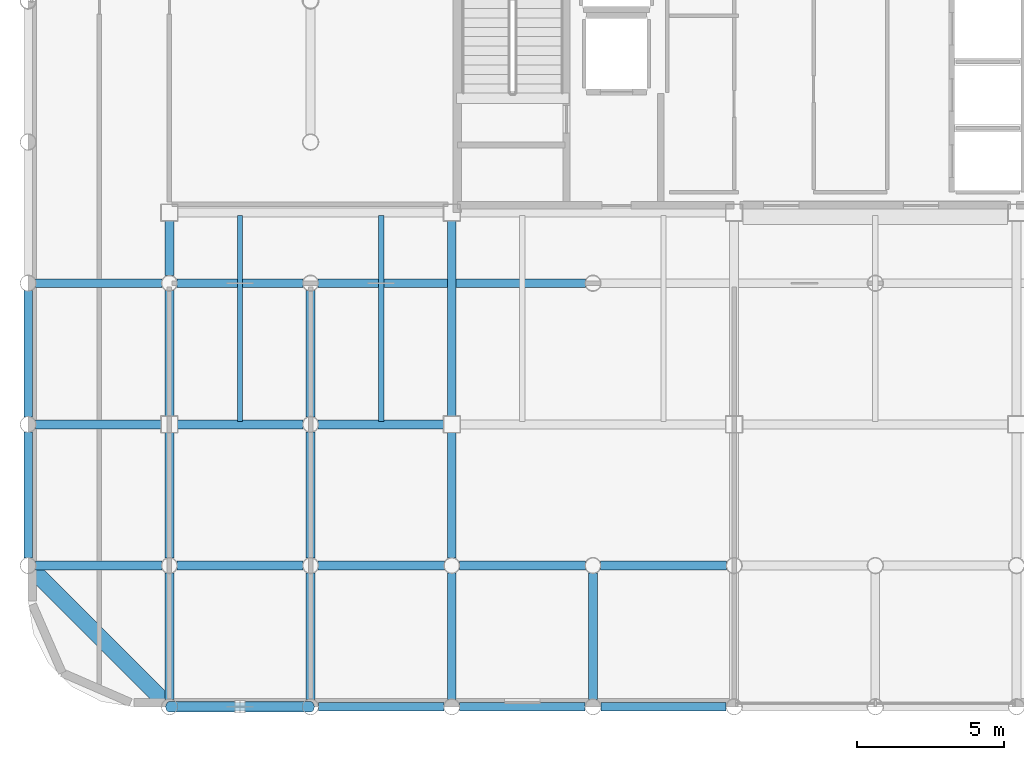
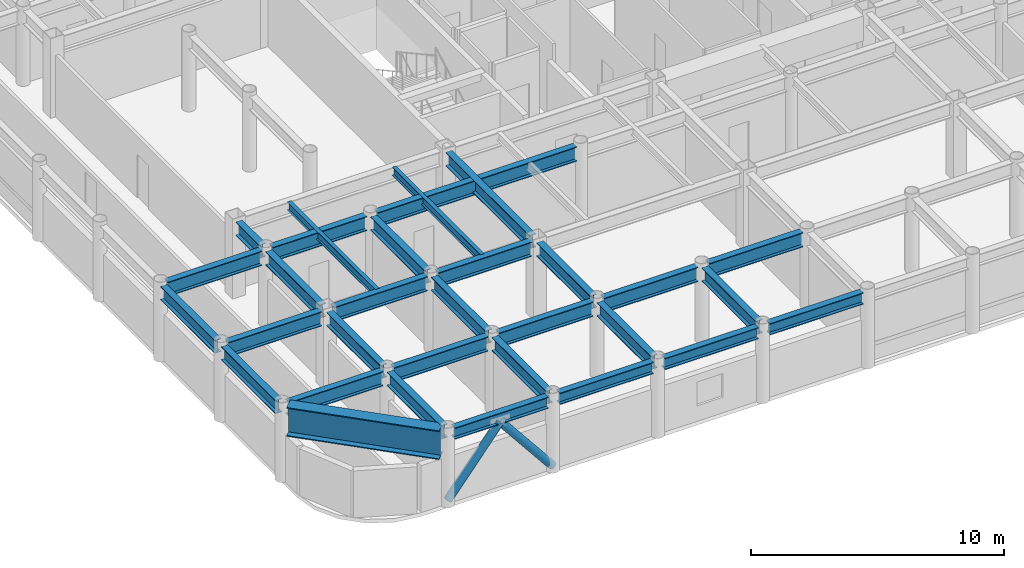
# One storey, part 3 of 21: 31 beams, 2 members.
"""IFC4 building model written with IfcOpenShell, lengths in metres."""

import ifcopenshell
import ifcopenshell.guid

model = None  # the IFC model being written
_history = None  # IfcOwnerHistory: only IFC2X3 demands one
_inside = {}  # id of a spatial element -> (the spatial element, [elements in it])
_under = {}  # id of a project, library or spatial element -> (it, [spatial elements below it])
_declared = {}  # id of a project -> (the project, [libraries it declares])
_typed = {}  # id of a type object -> (the type object, [elements of that type])
_made_of = {}  # id of a material, layer set ... -> (it, [elements and type objects made of it])


def new_model(schema):
    """Start an empty IFC model of exactly this schema.

    Asked for "IFC4X3", IfcOpenShell would pick the latest addendum, in which some entities
    have other attributes; the version numbers below select the first issue.
    IFC2X3 requires an IfcOwnerHistory on every rooted entity: one is made here for all.
    """
    global model, _history
    if schema == "IFC4X3":
        model = ifcopenshell.file(schema_version=(4, 3, 0, 0))
    else:
        model = ifcopenshell.file(schema=schema)
    _inside.clear()
    _under.clear()
    _declared.clear()
    _typed.clear()
    _made_of.clear()
    _history = None
    if model.schema == "IFC2X3":
        org = make("IfcOrganization", Name="unknown")
        user = make(
            "IfcPersonAndOrganization",
            ThePerson=make("IfcPerson", FamilyName="unknown"),
            TheOrganization=org,
        )
        app = make(
            "IfcApplication",
            ApplicationDeveloper=org,
            Version="unknown",
            ApplicationFullName="unknown",
            ApplicationIdentifier="unknown",
        )
        _history = make(
            "IfcOwnerHistory",
            OwningUser=user,
            OwningApplication=app,
            ChangeAction="ADDED",
            CreationDate=0,
        )
    return model


def make(cls, **values):
    """One entity of the class cls with the attributes given. An attribute that is None is left unset."""
    return model.create_entity(
        cls, **{name: value for name, value in values.items() if value is not None}
    )


def rooted(cls, **values):
    """An entity with a GlobalId (a new one), such as an element, a storey or a relation."""
    return make(cls, GlobalId=ifcopenshell.guid.new(), OwnerHistory=_history, **values)


def si_unit(unit_type, name, prefix=None):
    """IfcSIUnit, for example si_unit("LENGTHUNIT", "METRE", prefix="MILLI")."""
    return make("IfcSIUnit", UnitType=unit_type, Prefix=prefix, Name=name)


def assignment(units):
    """IfcUnitAssignment: the units of a project."""
    return None if units is None else make("IfcUnitAssignment", Units=units)


def point(xyz):
    """IfcCartesianPoint."""
    return None if xyz is None else make("IfcCartesianPoint", Coordinates=xyz)


def direction(xyz):
    """IfcDirection."""
    return None if xyz is None else make("IfcDirection", DirectionRatios=xyz)


def frame(location, z_axis=None, x_axis=None):
    """IfcAxis2Placement3D, a coordinate frame: its origin and axes. An axis left out is left unset."""
    return make(
        "IfcAxis2Placement3D",
        Location=point(location),
        Axis=direction(z_axis),
        RefDirection=direction(x_axis),
    )


def frame_2d(location, x_axis=None):
    """IfcAxis2Placement2D, a coordinate frame in the plane: its origin and x axis."""
    return make(
        "IfcAxis2Placement2D", Location=point(location), RefDirection=direction(x_axis)
    )


def origin():
    """The frame at (0, 0, 0) with its axes left unset."""
    return frame((0.0, 0.0, 0.0))


def origin_2d():
    """The frame at (0, 0) in the plane with its x axis left unset."""
    return frame_2d((0.0, 0.0))


def place(relative_to, where):
    """IfcLocalPlacement: puts the frame where relative to a parent placement (None: the world)."""
    return make(
        "IfcLocalPlacement", PlacementRelTo=relative_to, RelativePlacement=where
    )


def context(
    kind, dimensions, precision=None, world=None, true_north=None, identifier=None
):
    """IfcGeometricRepresentationContext, for example the 3D "Model" context."""
    return make(
        "IfcGeometricRepresentationContext",
        ContextIdentifier=identifier,
        ContextType=kind,
        CoordinateSpaceDimension=dimensions,
        Precision=precision,
        WorldCoordinateSystem=world,
        TrueNorth=true_north,
    )


def subcontext(parent, identifier, kind, view, scale=None):
    """IfcGeometricRepresentationSubContext, for example "Body" below "Model"."""
    return make(
        "IfcGeometricRepresentationSubContext",
        ContextIdentifier=identifier,
        ContextType=kind,
        ParentContext=parent,
        TargetScale=scale,
        TargetView=view,
    )


def project(units=None, contexts=None):
    """IfcProject with its units and contexts."""
    return rooted(
        "IfcProject",
        Name="project",
        RepresentationContexts=contexts,
        UnitsInContext=assignment(units),
    )


def spatial(cls, under=None, at=None, **own):
    """A site, building, storey or space (cls), placed at a placement, below another one or the project."""
    s = rooted(cls, ObjectPlacement=at, **own)
    if under is not None:
        _under.setdefault(under.id(), (under, []))[1].append(s)
    return s


def profile(cls, at=None, kind="AREA", **sizes):
    """A parametric profile (cls). Its sizes go by their IFC names, for example OverallWidth=200.0."""
    return make(cls, ProfileType=kind, Position=at, **sizes)


def hollow_circle(**sizes):
    """IfcCircleHollowProfileDef."""
    return profile("IfcCircleHollowProfileDef", **sizes)


def i_section(**sizes):
    """IfcIShapeProfileDef."""
    return profile("IfcIShapeProfileDef", **sizes)


def extrude(swept, where, along, depth):
    """IfcExtrudedAreaSolid: the profile swept, set in the frame where, extruded along a direction by depth."""
    return make(
        "IfcExtrudedAreaSolid",
        SweptArea=swept,
        Position=where,
        ExtrudedDirection=direction(along),
        Depth=depth,
    )


def shape(context_of_items, identifier, shape_type, items):
    """IfcShapeRepresentation: the items that make up one representation, for example the "Body"."""
    return make(
        "IfcShapeRepresentation",
        ContextOfItems=context_of_items,
        RepresentationIdentifier=identifier,
        RepresentationType=shape_type,
        Items=items,
    )


def material(Name=None, Category=None):
    """IfcMaterial."""
    return make("IfcMaterial", Name=Name, Category=Category)


def material_profile(
    of_material, cross_section, Name=None, Category=None, Priority=None
):
    """IfcMaterialProfile: a cross section and its material."""
    return make(
        "IfcMaterialProfile",
        Name=Name,
        Material=of_material,
        Profile=cross_section,
        Priority=Priority,
        Category=Category,
    )


def profile_set(profiles, Name=None, composite=None):
    """IfcMaterialProfileSet."""
    return make(
        "IfcMaterialProfileSet",
        Name=Name,
        MaterialProfiles=profiles,
        CompositeProfile=composite,
    )


def made_of(thing, what):
    """Note that an element or type object is made of a material, layer set ...; save() writes the relation."""
    if what is not None:
        _made_of.setdefault(what.id(), (what, []))[1].append(thing)
    return thing


def type_object(cls, material=None, **own):
    """A type object (cls), such as IfcWallType, which elements share."""
    return made_of(rooted(cls, **own), material)


def element(
    cls,
    number,
    at=None,
    inside=None,
    cuts=None,
    type_object=None,
    material=None,
    context=None,
    identifier="Body",
    shape_type=None,
    held_by="IfcProductDefinitionShape",
    body=None,
    shapes=None,
    **own,
):
    """One element of the class cls, such as IfcWall. Its Tag is "e" and its number.

    at: its placement. inside: the storey or other place that contains it. cuts: it is an
    opening in that element (IfcRelVoidsElement). A single representation is given by context,
    identifier, shape_type and body (its items); several are given by shapes. held_by: the class
    of the entity that holds the representations. save() writes the other relations.
    """
    e = rooted(cls, Tag="e%d" % number, ObjectPlacement=at, **own)
    if body is not None:
        shapes = [shape(context, identifier, shape_type, body)]
    if shapes is not None:
        e.Representation = make(held_by, Representations=shapes)
    if inside is not None:
        _inside.setdefault(inside.id(), (inside, []))[1].append(e)
    if cuts is not None:
        rooted(
            "IfcRelVoidsElement", RelatingBuildingElement=cuts, RelatedOpeningElement=e
        )
    if type_object is not None:
        _typed.setdefault(type_object.id(), (type_object, []))[1].append(e)
    return made_of(e, material)


def aggregate(whole, parts):
    """IfcRelAggregates: a whole, such as a stair, and the parts it consists of."""
    return rooted("IfcRelAggregates", RelatingObject=whole, RelatedObjects=parts)


def save(model, path):
    """Write the relations noted so far, then the file.

    IfcRelAggregates (storeys below a building ...), IfcRelContainedInSpatialStructure (elements
    in a storey), IfcRelDefinesByType, IfcRelAssociatesMaterial and IfcRelDeclares: one each for
    every whole, place, type object, material and project.
    """
    for whole, parts in _under.values():
        aggregate(whole, parts)
    for where, things in _inside.values():
        rooted(
            "IfcRelContainedInSpatialStructure",
            RelatedElements=things,
            RelatingStructure=where,
        )
    for kind, things in _typed.values():
        rooted("IfcRelDefinesByType", RelatedObjects=things, RelatingType=kind)
    for what, things in _made_of.values():
        rooted("IfcRelAssociatesMaterial", RelatedObjects=things, RelatingMaterial=what)
    for by, libraries in _declared.values():
        rooted("IfcRelDeclares", RelatingContext=by, RelatedDefinitions=libraries)
    model.write(path)


model = new_model("IFC4")

# Units and contexts
model_context = context("Model", 3, precision=1e-05, world=origin(), true_north=direction((0.0, 1.0)))
body_context = subcontext(model_context, "Body", "Model", "MODEL_VIEW")
ifc_project = project(units=[si_unit("LENGTHUNIT", "METRE"), si_unit("AREAUNIT", "SQUARE_METRE"), si_unit("VOLUMEUNIT", "CUBIC_METRE"), si_unit("PLANEANGLEUNIT", "RADIAN"), si_unit("MASSUNIT", "GRAM", prefix="KILO")], contexts=[model_context])

# Site, building, storey
site_placement = place(None, origin())
site = spatial("IfcSite", under=ifc_project, at=site_placement, CompositionType="ELEMENT")
building_placement = place(site_placement, origin())
building = spatial("IfcBuilding", under=site, at=building_placement, Name="Kallvorn Hotel Tower", CompositionType="ELEMENT")
storey_placement = place(building_placement, frame((0.0, 0.0, 214.60009765625)))
storey = spatial("IfcBuildingStorey", under=building, at=storey_placement, Name="L53", CompositionType="ELEMENT", Elevation=214.60009765625)

# Beams
ifc_material_1 = material(Name="Structural steel S355JR", Category="steel")
ifc_material_profile_1 = material_profile(ifc_material_1, i_section(OverallWidth=0.300048828125, OverallDepth=0.550048828125, WebThickness=0.014892578125, FlangeThickness=0.029052734375, at=origin_2d()), Name="HE 550 B")
ifc_profile_set_1 = profile_set([ifc_material_profile_1], Name="Structural steel S355JR")
beam_type_1 = type_object("IfcBeamType", Name="BM_HE550B", PredefinedType="SPANDREL", material=ifc_profile_set_1)
for number, where, z_axis, x_axis, name in (
    (1, (-23.73046875, -24.0, 3.39501953125), (1.0, 0.0, 0.0), (0.0, 1.0, 0.0), "L54 Perimeter Spandrel 151"),
    (2, (-18.930419921875, -24.0, 3.39501953125), (1.0, 0.0, 0.0), (0.0, 1.0, 0.0), "L54 Perimeter Spandrel 152"),
):
    element("IfcBeam", number, at=place(storey_placement, frame(where, z_axis=z_axis, x_axis=x_axis)), inside=storey, type_object=beam_type_1, Name=name, PredefinedType="SPANDREL", context=body_context, shape_type="SweptSolid", body=[
        extrude(i_section(OverallWidth=0.300048828125, OverallDepth=0.550048828125, WebThickness=0.014892578125, FlangeThickness=0.029052734375, at=origin_2d()), origin(), (0.0, 0.0, 1.0), 4.260986328125),
    ])
beam_1_placement = place(storey_placement, frame((-14.130615234375, -24.0, 3.39501953125), z_axis=(1.0, 0.0, 0.0), x_axis=(0.0, 1.0, 0.0)))
element("IfcBeam", 3, at=beam_1_placement, inside=storey, type_object=beam_type_1, Name="L54 Perimeter Spandrel 153", PredefinedType="SPANDREL", context=body_context, shape_type="SweptSolid", body=[
    extrude(i_section(OverallWidth=0.300048828125, OverallDepth=0.550048828125, WebThickness=0.014892578125, FlangeThickness=0.029052734375, at=origin_2d()), origin(), (0.0, 0.0, 1.0), 4.26123046875),
])
beam_2_placement = place(storey_placement, frame((-9.33056640625, -24.0, 3.39501953125), z_axis=(1.0, 0.0, 0.0), x_axis=(0.0, 1.0, 0.0)))
element("IfcBeam", 4, at=beam_2_placement, inside=storey, type_object=beam_type_1, Name="L54 Perimeter Spandrel 154", PredefinedType="SPANDREL", context=body_context, shape_type="SweptSolid", body=[
    extrude(i_section(OverallWidth=0.300048828125, OverallDepth=0.550048828125, WebThickness=0.014892578125, FlangeThickness=0.029052734375, at=origin_2d()), origin(), (0.0, 0.0, 1.0), 4.260986328125),
])
ifc_material_2 = material(Name="Structural steel S355JR", Category="steel")
ifc_material_profile_2 = material_profile(ifc_material_2, i_section(OverallWidth=0.300048828125, OverallDepth=0.64990234375, WebThickness=0.01611328125, FlangeThickness=0.031005859375, at=origin_2d()), Name="HE 650 B")
ifc_profile_set_2 = profile_set([ifc_material_profile_2], Name="Structural steel S355JR")
beam_type_2 = type_object("IfcBeamType", Name="BM_HE650B", PredefinedType="BEAM", material=ifc_profile_set_2)
for number, where, z_axis, x_axis, name in (
    (5, (-28.800048828125, -18.945556640625, 3.344970703125), (0.0, 1.0, 0.0), (-1.0, 0.0, 0.0), "L54 Primary Y-Girder 73"),
    (6, (-28.800048828125, -14.1455078125, 3.344970703125), (0.0, 1.0, 0.0), (-1.0, 0.0, 0.0), "L54 Primary Y-Girder 74"),
    (7, (-24.0, -23.74560546875, 3.344970703125), (0.0, 1.0, 0.0), (-1.0, 0.0, 0.0), "L54 Primary Y-Girder 81"),
):
    element("IfcBeam", number, at=place(storey_placement, frame(where, z_axis=z_axis, x_axis=x_axis)), inside=storey, type_object=beam_type_2, Name=name, PredefinedType="BEAM", context=body_context, shape_type="SweptSolid", body=[
        extrude(i_section(OverallWidth=0.300048828125, OverallDepth=0.64990234375, WebThickness=0.01611328125, FlangeThickness=0.031005859375, at=origin_2d()), origin(), (0.0, 0.0, 1.0), 4.291015625),
    ])
for number, where, z_axis, x_axis, name in (
    (8, (-24.0, -18.945556640625, 3.344970703125), (0.0, 1.0, 0.0), (-1.0, 0.0, 0.0), "L54 Primary Y-Girder 82"),
    (9, (-24.0, -14.125, 3.344970703125), (0.0, 1.0, 0.0), (-1.0, 0.0, 0.0), "L54 Primary Y-Girder 83"),
):
    element("IfcBeam", number, at=place(storey_placement, frame(where, z_axis=z_axis, x_axis=x_axis)), inside=storey, type_object=beam_type_2, Name=name, PredefinedType="BEAM", context=body_context, shape_type="SweptSolid", body=[
        extrude(i_section(OverallWidth=0.300048828125, OverallDepth=0.64990234375, WebThickness=0.01611328125, FlangeThickness=0.031005859375, at=origin_2d()), origin(), (0.0, 0.0, 1.0), 4.2705078125),
    ])
beam_3_placement = place(storey_placement, frame((-24.0, -9.345458984375, 3.344970703125), z_axis=(0.0, 1.0, 0.0), x_axis=(-1.0, 0.0, 0.0)))
element("IfcBeam", 10, at=beam_3_placement, inside=storey, type_object=beam_type_2, Name="L54 Primary Y-Girder 84", PredefinedType="BEAM", context=body_context, shape_type="SweptSolid", body=[
    extrude(i_section(OverallWidth=0.300048828125, OverallDepth=0.64990234375, WebThickness=0.01611328125, FlangeThickness=0.031005859375, at=origin_2d()), origin(), (0.0, 0.0, 1.0), 1.870361328125),
])
for number, where, z_axis, x_axis, name in (
    (11, (-19.199951171875, -23.74560546875, 3.344970703125), (0.0, 1.0, 0.0), (-1.0, 0.0, 0.0), "L54 Primary Y-Girder 88"),
    (12, (-19.199951171875, -18.945556640625, 3.344970703125), (0.0, 1.0, 0.0), (-1.0, 0.0, 0.0), "L54 Primary Y-Girder 89"),
    (13, (-19.199951171875, -14.1455078125, 3.344970703125), (0.0, 1.0, 0.0), (-1.0, 0.0, 0.0), "L54 Primary Y-Girder 90"),
    (14, (-14.39990234375, -23.74560546875, 3.344970703125), (0.0, 1.0, 0.0), (-1.0, 0.0, 0.0), "L54 Primary Y-Girder 97"),
):
    element("IfcBeam", number, at=place(storey_placement, frame(where, z_axis=z_axis, x_axis=x_axis)), inside=storey, type_object=beam_type_2, Name=name, PredefinedType="BEAM", context=body_context, shape_type="SweptSolid", body=[
        extrude(i_section(OverallWidth=0.300048828125, OverallDepth=0.64990234375, WebThickness=0.01611328125, FlangeThickness=0.031005859375, at=origin_2d()), origin(), (0.0, 0.0, 1.0), 4.291015625),
    ])
beam_4_placement = place(storey_placement, frame((-14.39990234375, -18.945556640625, 3.344970703125), z_axis=(0.0, 1.0, 0.0), x_axis=(-1.0, 0.0, 0.0)))
element("IfcBeam", 15, at=beam_4_placement, inside=storey, type_object=beam_type_2, Name="L54 Primary Y-Girder 98", PredefinedType="BEAM", context=body_context, shape_type="SweptSolid", body=[
    extrude(i_section(OverallWidth=0.300048828125, OverallDepth=0.64990234375, WebThickness=0.01611328125, FlangeThickness=0.031005859375, at=origin_2d()), origin(), (0.0, 0.0, 1.0), 4.2705078125),
])
beam_5_placement = place(storey_placement, frame((-14.39990234375, -14.125, 3.344970703125), z_axis=(0.0, 1.0, 0.0), x_axis=(-1.0, 0.0, 0.0)))
element("IfcBeam", 16, at=beam_5_placement, inside=storey, type_object=beam_type_2, Name="L54 Primary Y-Girder 99", PredefinedType="BEAM", context=body_context, shape_type="SweptSolid", body=[
    extrude(i_section(OverallWidth=0.300048828125, OverallDepth=0.64990234375, WebThickness=0.01611328125, FlangeThickness=0.031005859375, at=origin_2d()), origin(), (0.0, 0.0, 1.0), 6.64990234375),
])
beam_6_placement = place(storey_placement, frame((-9.60009765625, -23.74560546875, 3.344970703125), z_axis=(0.0, 1.0, 0.0), x_axis=(-1.0, 0.0, 0.0)))
element("IfcBeam", 17, at=beam_6_placement, inside=storey, type_object=beam_type_2, Name="L54 Primary Y-Girder 102", PredefinedType="BEAM", context=body_context, shape_type="SweptSolid", body=[
    extrude(i_section(OverallWidth=0.300048828125, OverallDepth=0.64990234375, WebThickness=0.01611328125, FlangeThickness=0.031005859375, at=origin_2d()), origin(), (0.0, 0.0, 1.0), 4.291015625),
])
ifc_material_3 = material(Name="Structural steel S355JR", Category="steel")
ifc_material_profile_3 = material_profile(ifc_material_3, i_section(OverallWidth=0.300048828125, OverallDepth=0.699951171875, WebThickness=0.01708984375, FlangeThickness=0.031982421875, at=origin_2d()), Name="HE 700 B")
ifc_profile_set_3 = profile_set([ifc_material_profile_3], Name="Structural steel S355JR")
beam_type_3 = type_object("IfcBeamType", Name="BM_HE700B", PredefinedType="BEAM", material=ifc_profile_set_3)
for number, where, z_axis, x_axis, name in (
    (18, (-28.54541015625, -19.199951171875, 3.31982421875), (1.0, 0.0, 0.0), (0.0, 1.0, 0.0), "L54 Primary X-Girder 01"),
    (19, (-23.74560546875, -19.199951171875, 3.31982421875), (1.0, 0.0, 0.0), (0.0, 1.0, 0.0), "L54 Primary X-Girder 02"),
    (20, (-18.945556640625, -19.199951171875, 3.31982421875), (1.0, 0.0, 0.0), (0.0, 1.0, 0.0), "L54 Primary X-Girder 03"),
    (21, (-14.1455078125, -19.199951171875, 3.31982421875), (1.0, 0.0, 0.0), (0.0, 1.0, 0.0), "L54 Primary X-Girder 04"),
    (22, (-9.345458984375, -19.199951171875, 3.31982421875), (1.0, 0.0, 0.0), (0.0, 1.0, 0.0), "L54 Primary X-Girder 05"),
):
    element("IfcBeam", number, at=place(storey_placement, frame(where, z_axis=z_axis, x_axis=x_axis)), inside=storey, type_object=beam_type_3, Name=name, PredefinedType="BEAM", context=body_context, shape_type="SweptSolid", body=[
        extrude(i_section(OverallWidth=0.300048828125, OverallDepth=0.699951171875, WebThickness=0.01708984375, FlangeThickness=0.031982421875, at=origin_2d()), origin(), (0.0, 0.0, 1.0), 4.291015625),
    ])
for number, where, z_axis, x_axis, name in (
    (23, (-28.54541015625, -14.39990234375, 3.31982421875), (1.0, 0.0, 0.0), (0.0, 1.0, 0.0), "L54 Primary X-Girder 14"),
    (24, (-23.72509765625, -14.39990234375, 3.31982421875), (1.0, 0.0, 0.0), (0.0, 1.0, 0.0), "L54 Primary X-Girder 15"),
    (25, (-18.945556640625, -14.39990234375, 3.31982421875), (1.0, 0.0, 0.0), (0.0, 1.0, 0.0), "L54 Primary X-Girder 16"),
):
    element("IfcBeam", number, at=place(storey_placement, frame(where, z_axis=z_axis, x_axis=x_axis)), inside=storey, type_object=beam_type_3, Name=name, PredefinedType="BEAM", context=body_context, shape_type="SweptSolid", body=[
        extrude(i_section(OverallWidth=0.300048828125, OverallDepth=0.699951171875, WebThickness=0.01708984375, FlangeThickness=0.031982421875, at=origin_2d()), origin(), (0.0, 0.0, 1.0), 4.2705078125),
    ])
for number, where, z_axis, x_axis, name in (
    (26, (-28.54541015625, -9.60009765625, 3.31982421875), (1.0, 0.0, 0.0), (0.0, 1.0, 0.0), "L54 Primary X-Girder 24"),
    (27, (-23.74560546875, -9.60009765625, 3.31982421875), (1.0, 0.0, 0.0), (0.0, 1.0, 0.0), "L54 Primary X-Girder 25"),
):
    element("IfcBeam", number, at=place(storey_placement, frame(where, z_axis=z_axis, x_axis=x_axis)), inside=storey, type_object=beam_type_3, Name=name, PredefinedType="BEAM", context=body_context, shape_type="SweptSolid", body=[
        extrude(i_section(OverallWidth=0.300048828125, OverallDepth=0.699951171875, WebThickness=0.01708984375, FlangeThickness=0.031982421875, at=origin_2d()), origin(), (0.0, 0.0, 1.0), 4.291015625),
    ])
beam_7_placement = place(storey_placement, frame((-18.945556640625, -9.60009765625, 3.31982421875), z_axis=(1.0, 0.0, 0.0), x_axis=(0.0, 1.0, 0.0)))
element("IfcBeam", 28, at=beam_7_placement, inside=storey, type_object=beam_type_3, Name="L54 Primary X-Girder 26", PredefinedType="BEAM", context=body_context, shape_type="SweptSolid", body=[
    extrude(i_section(OverallWidth=0.300048828125, OverallDepth=0.699951171875, WebThickness=0.01708984375, FlangeThickness=0.031982421875, at=origin_2d()), origin(), (0.0, 0.0, 1.0), 9.091064453125),
])
ifc_material_4 = material(Name="Structural steel S355JR", Category="steel")
ifc_material_profile_4 = material_profile(ifc_material_4, i_section(OverallWidth=0.179931640625, OverallDepth=0.39990234375, WebThickness=0.008544921875, FlangeThickness=0.013427734375, at=origin_2d()), Name="IPE 400")
ifc_profile_set_4 = profile_set([ifc_material_profile_4], Name="Structural steel S355JR")
beam_type_4 = type_object("IfcBeamType", Name="BM_IPE400", PredefinedType="JOIST", material=ifc_profile_set_4)
for number, where, z_axis, x_axis, name in (
    (29, (-21.60009765625, -14.300048828125, 3.469970703125), (0.0, 1.0, 0.0), (-1.0, 0.0, 0.0), "L54 Secondary Composite Joist 192"),
    (30, (-16.800048828125, -14.300048828125, 3.469970703125), (0.0, 1.0, 0.0), (-1.0, 0.0, 0.0), "L54 Secondary Composite Joist 194"),
):
    element("IfcBeam", number, at=place(storey_placement, frame(where, z_axis=z_axis, x_axis=x_axis)), inside=storey, type_object=beam_type_4, Name=name, PredefinedType="JOIST", context=body_context, shape_type="SweptSolid", body=[
        extrude(i_section(OverallWidth=0.179931640625, OverallDepth=0.39990234375, WebThickness=0.008544921875, FlangeThickness=0.013427734375, at=origin_2d()), origin(), (0.0, 0.0, 1.0), 7.0),
    ])
ifc_material_5 = material(Name="Structural steel S355JR", Category="steel")
ifc_material_profile_5 = material_profile(ifc_material_5, i_section(OverallWidth=0.550048828125, OverallDepth=1.39990234375, WebThickness=0.02490234375, FlangeThickness=0.044921875, at=origin_2d()), Name="PG 1400x550x25x45")
ifc_profile_set_5 = profile_set([ifc_material_profile_5], Name="Structural steel S355JR")
beam_type_5 = type_object("IfcBeamType", Name="BM_PG_1400", PredefinedType="BEAM", material=ifc_profile_set_5)
beam_8_placement = place(storey_placement, frame((-28.609375, -19.390625, 2.969970703125), z_axis=(0.707106781187, -0.707106781187, 0.0), x_axis=(0.707106781187, 0.707106781187, 0.0)))
element("IfcBeam", 31, at=beam_8_placement, inside=storey, type_object=beam_type_5, Name="L54 Rounded Corner Tie Beam 189", PredefinedType="BEAM", context=body_context, shape_type="SweptSolid", body=[
    extrude(i_section(OverallWidth=0.550048828125, OverallDepth=1.39990234375, WebThickness=0.02490234375, FlangeThickness=0.044921875, at=origin_2d()), origin(), (0.0, 0.0, 1.0), 6.2490234375),
])

# Members
ifc_material_6 = material(Name="Structural steel S355J2H", Category="steel")
ifc_material_profile_6 = material_profile(ifc_material_6, hollow_circle(Radius=0.177734375, WallThickness=0.01416015625, at=origin_2d()), Name="CHS 355.6x14.2")
ifc_profile_set_6 = profile_set([ifc_material_profile_6], Name="Structural steel S355J2H")
member_type = type_object("IfcMemberType", Name="MBR_EXO_CHS355", PredefinedType="BRACE", material=ifc_profile_set_6)
for number, where, z_axis, x_axis, name in (
    (32, (-23.987548828125, -24.0, 0.195556640625), (0.627270878626, 0.0, 0.778801158722), (0.0, 1.0, 0.0), "L53 Exoskeleton K-Brace S1A"),
    (33, (-19.21240234375, -24.0, 0.195556640625), (-0.627270878626, 0.0, 0.778801158722), (0.0, -1.0, 0.0), "L53 Exoskeleton K-Brace S1B"),
):
    element("IfcMember", number, at=place(storey_placement, frame(where, z_axis=z_axis, x_axis=x_axis)), inside=storey, type_object=member_type, Name=name, PredefinedType="BRACE", context=body_context, shape_type="SweptSolid", body=[
        extrude(hollow_circle(Radius=0.177734375, WallThickness=0.01416015625, at=origin_2d()), origin(), (0.0, 0.0, 1.0), 3.7861328125),
    ])

save(model, "model.ifc")
